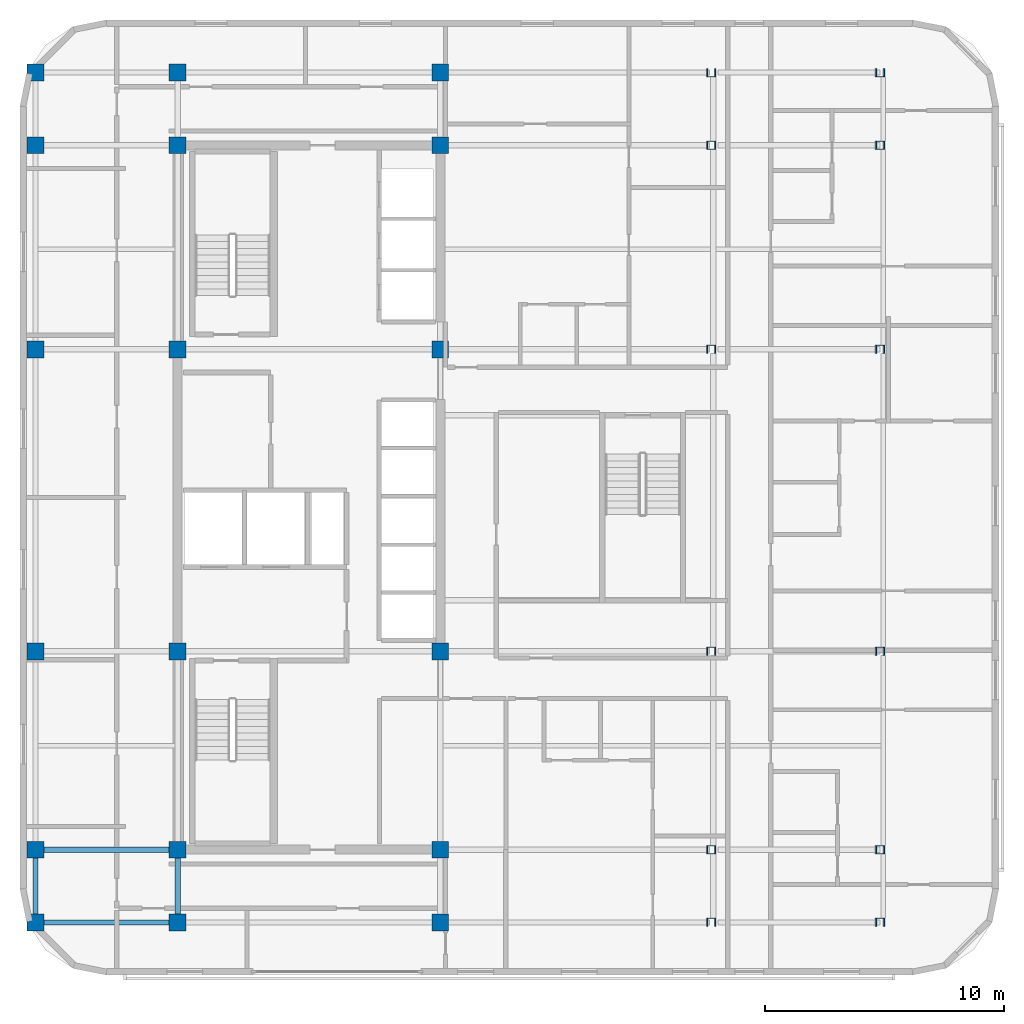
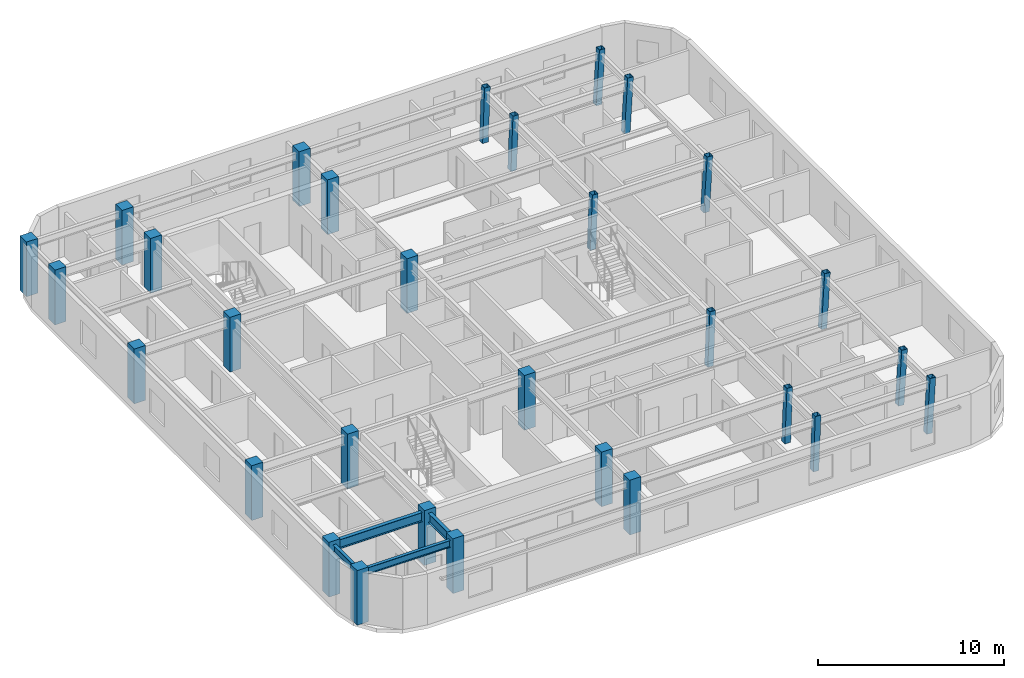
# One storey, part 1 of 11: 30 columns, 4 beams.
"""IFC4 building model written with IfcOpenShell, lengths in metres."""

import ifcopenshell
import ifcopenshell.guid

model = None  # the IFC model being written
_history = None  # IfcOwnerHistory: only IFC2X3 demands one
_inside = {}  # id of a spatial element -> (the spatial element, [elements in it])
_under = {}  # id of a project, library or spatial element -> (it, [spatial elements below it])
_declared = {}  # id of a project -> (the project, [libraries it declares])
_typed = {}  # id of a type object -> (the type object, [elements of that type])
_made_of = {}  # id of a material, layer set ... -> (it, [elements and type objects made of it])


def new_model(schema):
    """Start an empty IFC model of exactly this schema.

    Asked for "IFC4X3", IfcOpenShell would pick the latest addendum, in which some entities
    have other attributes; the version numbers below select the first issue.
    IFC2X3 requires an IfcOwnerHistory on every rooted entity: one is made here for all.
    """
    global model, _history
    if schema == "IFC4X3":
        model = ifcopenshell.file(schema_version=(4, 3, 0, 0))
    else:
        model = ifcopenshell.file(schema=schema)
    _inside.clear()
    _under.clear()
    _declared.clear()
    _typed.clear()
    _made_of.clear()
    _history = None
    if model.schema == "IFC2X3":
        org = make("IfcOrganization", Name="unknown")
        user = make(
            "IfcPersonAndOrganization",
            ThePerson=make("IfcPerson", FamilyName="unknown"),
            TheOrganization=org,
        )
        app = make(
            "IfcApplication",
            ApplicationDeveloper=org,
            Version="unknown",
            ApplicationFullName="unknown",
            ApplicationIdentifier="unknown",
        )
        _history = make(
            "IfcOwnerHistory",
            OwningUser=user,
            OwningApplication=app,
            ChangeAction="ADDED",
            CreationDate=0,
        )
    return model


def make(cls, **values):
    """One entity of the class cls with the attributes given. An attribute that is None is left unset."""
    return model.create_entity(
        cls, **{name: value for name, value in values.items() if value is not None}
    )


def rooted(cls, **values):
    """An entity with a GlobalId (a new one), such as an element, a storey or a relation."""
    return make(cls, GlobalId=ifcopenshell.guid.new(), OwnerHistory=_history, **values)


def si_unit(unit_type, name, prefix=None):
    """IfcSIUnit, for example si_unit("LENGTHUNIT", "METRE", prefix="MILLI")."""
    return make("IfcSIUnit", UnitType=unit_type, Prefix=prefix, Name=name)


def assignment(units):
    """IfcUnitAssignment: the units of a project."""
    return None if units is None else make("IfcUnitAssignment", Units=units)


def point(xyz):
    """IfcCartesianPoint."""
    return None if xyz is None else make("IfcCartesianPoint", Coordinates=xyz)


def direction(xyz):
    """IfcDirection."""
    return None if xyz is None else make("IfcDirection", DirectionRatios=xyz)


def frame(location, z_axis=None, x_axis=None):
    """IfcAxis2Placement3D, a coordinate frame: its origin and axes. An axis left out is left unset."""
    return make(
        "IfcAxis2Placement3D",
        Location=point(location),
        Axis=direction(z_axis),
        RefDirection=direction(x_axis),
    )


def frame_2d(location, x_axis=None):
    """IfcAxis2Placement2D, a coordinate frame in the plane: its origin and x axis."""
    return make(
        "IfcAxis2Placement2D", Location=point(location), RefDirection=direction(x_axis)
    )


def origin():
    """The frame at (0, 0, 0) with its axes left unset."""
    return frame((0.0, 0.0, 0.0))


def origin_2d():
    """The frame at (0, 0) in the plane with its x axis left unset."""
    return frame_2d((0.0, 0.0))


def place(relative_to, where):
    """IfcLocalPlacement: puts the frame where relative to a parent placement (None: the world)."""
    return make(
        "IfcLocalPlacement", PlacementRelTo=relative_to, RelativePlacement=where
    )


def context(
    kind, dimensions, precision=None, world=None, true_north=None, identifier=None
):
    """IfcGeometricRepresentationContext, for example the 3D "Model" context."""
    return make(
        "IfcGeometricRepresentationContext",
        ContextIdentifier=identifier,
        ContextType=kind,
        CoordinateSpaceDimension=dimensions,
        Precision=precision,
        WorldCoordinateSystem=world,
        TrueNorth=true_north,
    )


def subcontext(parent, identifier, kind, view, scale=None):
    """IfcGeometricRepresentationSubContext, for example "Body" below "Model"."""
    return make(
        "IfcGeometricRepresentationSubContext",
        ContextIdentifier=identifier,
        ContextType=kind,
        ParentContext=parent,
        TargetScale=scale,
        TargetView=view,
    )


def project(units=None, contexts=None):
    """IfcProject with its units and contexts."""
    return rooted(
        "IfcProject",
        Name="project",
        RepresentationContexts=contexts,
        UnitsInContext=assignment(units),
    )


def spatial(cls, under=None, at=None, **own):
    """A site, building, storey or space (cls), placed at a placement, below another one or the project."""
    s = rooted(cls, ObjectPlacement=at, **own)
    if under is not None:
        _under.setdefault(under.id(), (under, []))[1].append(s)
    return s


def profile(cls, at=None, kind="AREA", **sizes):
    """A parametric profile (cls). Its sizes go by their IFC names, for example OverallWidth=200.0."""
    return make(cls, ProfileType=kind, Position=at, **sizes)


def rectangle(**sizes):
    """IfcRectangleProfileDef."""
    return profile("IfcRectangleProfileDef", **sizes)


def hollow_rectangle(**sizes):
    """IfcRectangleHollowProfileDef."""
    return profile("IfcRectangleHollowProfileDef", **sizes)


def i_section(**sizes):
    """IfcIShapeProfileDef."""
    return profile("IfcIShapeProfileDef", **sizes)


def extrude(swept, where, along, depth):
    """IfcExtrudedAreaSolid: the profile swept, set in the frame where, extruded along a direction by depth."""
    return make(
        "IfcExtrudedAreaSolid",
        SweptArea=swept,
        Position=where,
        ExtrudedDirection=direction(along),
        Depth=depth,
    )


def shape(context_of_items, identifier, shape_type, items):
    """IfcShapeRepresentation: the items that make up one representation, for example the "Body"."""
    return make(
        "IfcShapeRepresentation",
        ContextOfItems=context_of_items,
        RepresentationIdentifier=identifier,
        RepresentationType=shape_type,
        Items=items,
    )


def material(Name=None, Category=None):
    """IfcMaterial."""
    return make("IfcMaterial", Name=Name, Category=Category)


def material_profile(
    of_material, cross_section, Name=None, Category=None, Priority=None
):
    """IfcMaterialProfile: a cross section and its material."""
    return make(
        "IfcMaterialProfile",
        Name=Name,
        Material=of_material,
        Profile=cross_section,
        Priority=Priority,
        Category=Category,
    )


def profile_set(profiles, Name=None, composite=None):
    """IfcMaterialProfileSet."""
    return make(
        "IfcMaterialProfileSet",
        Name=Name,
        MaterialProfiles=profiles,
        CompositeProfile=composite,
    )


def made_of(thing, what):
    """Note that an element or type object is made of a material, layer set ...; save() writes the relation."""
    if what is not None:
        _made_of.setdefault(what.id(), (what, []))[1].append(thing)
    return thing


def type_object(cls, material=None, **own):
    """A type object (cls), such as IfcWallType, which elements share."""
    return made_of(rooted(cls, **own), material)


def element(
    cls,
    number,
    at=None,
    inside=None,
    cuts=None,
    type_object=None,
    material=None,
    context=None,
    identifier="Body",
    shape_type=None,
    held_by="IfcProductDefinitionShape",
    body=None,
    shapes=None,
    **own,
):
    """One element of the class cls, such as IfcWall. Its Tag is "e" and its number.

    at: its placement. inside: the storey or other place that contains it. cuts: it is an
    opening in that element (IfcRelVoidsElement). A single representation is given by context,
    identifier, shape_type and body (its items); several are given by shapes. held_by: the class
    of the entity that holds the representations. save() writes the other relations.
    """
    e = rooted(cls, Tag="e%d" % number, ObjectPlacement=at, **own)
    if body is not None:
        shapes = [shape(context, identifier, shape_type, body)]
    if shapes is not None:
        e.Representation = make(held_by, Representations=shapes)
    if inside is not None:
        _inside.setdefault(inside.id(), (inside, []))[1].append(e)
    if cuts is not None:
        rooted(
            "IfcRelVoidsElement", RelatingBuildingElement=cuts, RelatedOpeningElement=e
        )
    if type_object is not None:
        _typed.setdefault(type_object.id(), (type_object, []))[1].append(e)
    return made_of(e, material)


def aggregate(whole, parts):
    """IfcRelAggregates: a whole, such as a stair, and the parts it consists of."""
    return rooted("IfcRelAggregates", RelatingObject=whole, RelatedObjects=parts)


def save(model, path):
    """Write the relations noted so far, then the file.

    IfcRelAggregates (storeys below a building ...), IfcRelContainedInSpatialStructure (elements
    in a storey), IfcRelDefinesByType, IfcRelAssociatesMaterial and IfcRelDeclares: one each for
    every whole, place, type object, material and project.
    """
    for whole, parts in _under.values():
        aggregate(whole, parts)
    for where, things in _inside.values():
        rooted(
            "IfcRelContainedInSpatialStructure",
            RelatedElements=things,
            RelatingStructure=where,
        )
    for kind, things in _typed.values():
        rooted("IfcRelDefinesByType", RelatedObjects=things, RelatingType=kind)
    for what, things in _made_of.values():
        rooted("IfcRelAssociatesMaterial", RelatedObjects=things, RelatingMaterial=what)
    for by, libraries in _declared.values():
        rooted("IfcRelDeclares", RelatingContext=by, RelatedDefinitions=libraries)
    model.write(path)


model = new_model("IFC4")

# Units and contexts
model_context = context("Model", 3, precision=1e-05, world=origin(), true_north=direction((0.0, 1.0)))
body_context = subcontext(model_context, "Body", "Model", "MODEL_VIEW")
ifc_project = project(units=[si_unit("LENGTHUNIT", "METRE"), si_unit("AREAUNIT", "SQUARE_METRE"), si_unit("VOLUMEUNIT", "CUBIC_METRE"), si_unit("PLANEANGLEUNIT", "RADIAN"), si_unit("MASSUNIT", "GRAM", prefix="KILO")], contexts=[model_context])

# Site, building, storey
site_placement = place(None, origin())
site = spatial("IfcSite", under=ifc_project, at=site_placement, CompositionType="ELEMENT")
building_placement = place(site_placement, origin())
building = spatial("IfcBuilding", under=site, at=building_placement, Name="Ochreholt Gables", CompositionType="ELEMENT")
storey_placement = place(building_placement, frame((0.0, 0.0, 188.39990234375)))
storey = spatial("IfcBuildingStorey", under=building, at=storey_placement, Name="L49", CompositionType="ELEMENT", Elevation=188.39990234375)

# Columns
ifc_material_1 = material(Name="Steel CSA G40.21 350W", Category="steel")
ifc_material_profile_1 = material_profile(ifc_material_1, hollow_rectangle(XDim=0.35595703125, YDim=0.35595703125, WallThickness=0.01611328125, at=origin_2d()), Name="HSS356X356X16")
ifc_profile_set_1 = profile_set([ifc_material_profile_1], Name="Steel CSA G40.21 350W")
column_type_1 = type_object("IfcColumnType", Name="COL-HSS356-RAK", PredefinedType="COLUMN", material=ifc_profile_set_1)
for number, where, z_axis, x_axis, name in (
    (1, (46.530029296875, 9.25, 0.0), (0.034971136209, 0.0, 0.999388322742), (0.0, 1.0, 0.0), "L49 Column EMY2"),
    (2, (46.530029296875, 17.550048828125, 0.0), (0.034971136209, 0.0, 0.999388322742), (0.0, 1.0, 0.0), "L49 Column EMY3"),
    (3, (46.530029296875, 30.199951171875, 0.0), (0.034971136209, 0.0, 0.999388322742), (0.0, 1.0, 0.0), "L49 Column EMY4"),
    (4, (46.530029296875, 38.75, 0.0), (0.034971136209, 0.0, 0.999388322742), (0.0, 1.0, 0.0), "L49 Column EMY5"),
):
    element("IfcColumn", number, at=place(storey_placement, frame(where, z_axis=z_axis, x_axis=x_axis)), inside=storey, type_object=column_type_1, Name=name, PredefinedType="COLUMN", context=body_context, shape_type="SweptSolid", body=[
        extrude(hollow_rectangle(XDim=0.35595703125, YDim=0.35595703125, WallThickness=0.01611328125, at=origin_2d()), origin(), (0.0, 0.0, 1.0), 3.602294921875),
    ])
ifc_material_profile_2 = material_profile(ifc_material_1, hollow_rectangle(XDim=0.35595703125, YDim=0.35595703125, WallThickness=0.01611328125, at=origin_2d()), Name="HSS356X356X16")
ifc_profile_set_2 = profile_set([ifc_material_profile_2], Name="Steel CSA G40.21 350W")
column_type_2 = type_object("IfcColumnType", Name="COL-HSS356-RAKE", PredefinedType="COLUMN", material=ifc_profile_set_2)
for number, where, z_axis, x_axis, name in (
    (5, (46.530029296875, 6.199951171875, 0.0), (0.034971136209, 0.0, 0.999388322742), (0.0, 1.0, 0.0), "L49 Column EMY1"),
    (6, (46.530029296875, 41.800048828125, 0.0), (0.034971136209, 0.0, 0.999388322742), (0.0, 1.0, 0.0), "L49 Column EMY6"),
):
    element("IfcColumn", number, at=place(storey_placement, frame(where, z_axis=z_axis, x_axis=x_axis)), inside=storey, type_object=column_type_2, Name=name, PredefinedType="COLUMN", context=body_context, shape_type="SweptSolid", body=[
        extrude(hollow_rectangle(XDim=0.35595703125, YDim=0.35595703125, WallThickness=0.01611328125, at=origin_2d()), origin(), (0.0, 0.0, 1.0), 3.602294921875),
    ])
for number, where, z_axis, x_axis, name in (
    (7, (53.583984375, 6.199951171875, 0.0), (0.057884606321, 0.0, 0.998323280481), (0.0, 1.0, 0.0), "L49 Column EEY1"),
    (8, (53.583984375, 9.25, 0.0), (0.057884606321, 0.0, 0.998323280481), (0.0, 1.0, 0.0), "L49 Column EEY2"),
    (9, (53.583984375, 17.550048828125, 0.0), (0.057884606321, 0.0, 0.998323280481), (0.0, 1.0, 0.0), "L49 Column EEY3"),
    (10, (53.583984375, 30.199951171875, 0.0), (0.057884606321, 0.0, 0.998323280481), (0.0, 1.0, 0.0), "L49 Column EEY4"),
    (11, (53.583984375, 38.75, 0.0), (0.057884606321, 0.0, 0.998323280481), (0.0, 1.0, 0.0), "L49 Column EEY5"),
    (12, (53.583984375, 41.800048828125, 0.0), (0.057884606321, 0.0, 0.998323280481), (0.0, 1.0, 0.0), "L49 Column EEY6"),
):
    element("IfcColumn", number, at=place(storey_placement, frame(where, z_axis=z_axis, x_axis=x_axis)), inside=storey, type_object=column_type_2, Name=name, PredefinedType="COLUMN", context=body_context, shape_type="SweptSolid", body=[
        extrude(hollow_rectangle(XDim=0.35595703125, YDim=0.35595703125, WallThickness=0.01611328125, at=origin_2d()), origin(), (0.0, 0.0, 1.0), 3.606201171875),
    ])
ifc_material_2 = material(Name="Concrete 50 MPa", Category="concrete")
ifc_material_profile_3 = material_profile(ifc_material_2, rectangle(XDim=0.699951171875, YDim=0.699951171875, at=origin_2d()), Name="RC700X700")
ifc_profile_set_3 = profile_set([ifc_material_profile_3], Name="Concrete 50 MPa")
column_type_3 = type_object("IfcColumnType", Name="COL-RC700-EXT", PredefinedType="COLUMN", material=ifc_profile_set_3)
for number, where, z_axis, x_axis, name in (
    (13, (18.25, 6.199951171875, 0.0), (0.0, 0.0, 1.0), (1.0, 0.0, 0.0), "L49 Column W3Y1"),
    (14, (18.25, 9.25, 0.0), (0.0, 0.0, 1.0), (1.0, 0.0, 0.0), "L49 Column W3Y2"),
    (15, (18.25, 17.550048828125, 0.0), (0.0, 0.0, 1.0), (1.0, 0.0, 0.0), "L49 Column W3Y3"),
    (16, (18.25, 30.199951171875, 0.0), (0.0, 0.0, 1.0), (1.0, 0.0, 0.0), "L49 Column W3Y4"),
    (17, (18.25, 38.75, 0.0), (0.0, 0.0, 1.0), (1.0, 0.0, 0.0), "L49 Column W3Y5"),
    (18, (18.25, 41.800048828125, 0.0), (0.0, 0.0, 1.0), (1.0, 0.0, 0.0), "L49 Column W3Y6"),
    (19, (24.199951171875, 6.199951171875, 0.0), (0.0, 0.0, 1.0), (1.0, 0.0, 0.0), "L49 Column C1Y1"),
    (20, (24.199951171875, 41.800048828125, 0.0), (0.0, 0.0, 1.0), (1.0, 0.0, 0.0), "L49 Column C1Y6"),
    (21, (35.199951171875, 6.199951171875, 0.0), (0.0, 0.0, 1.0), (1.0, 0.0, 0.0), "L49 Column C2Y1"),
    (22, (35.199951171875, 41.800048828125, 0.0), (0.0, 0.0, 1.0), (1.0, 0.0, 0.0), "L49 Column C2Y6"),
):
    element("IfcColumn", number, at=place(storey_placement, frame(where, z_axis=z_axis, x_axis=x_axis)), inside=storey, type_object=column_type_3, Name=name, PredefinedType="COLUMN", context=body_context, shape_type="SweptSolid", body=[
        extrude(rectangle(XDim=0.699951171875, YDim=0.699951171875, at=origin_2d()), origin(), (0.0, 0.0, 1.0), 3.60009765625),
    ])
ifc_material_profile_4 = material_profile(ifc_material_2, rectangle(XDim=0.699951171875, YDim=0.699951171875, at=origin_2d()), Name="RC700X700")
ifc_profile_set_4 = profile_set([ifc_material_profile_4], Name="Concrete 50 MPa")
column_type_4 = type_object("IfcColumnType", Name="COL-RC700-INT", PredefinedType="COLUMN", material=ifc_profile_set_4)
for number, where, z_axis, x_axis, name in (
    (23, (24.199951171875, 9.25, 0.0), (0.0, 0.0, 1.0), (1.0, 0.0, 0.0), "L49 Column C1Y2"),
    (24, (24.199951171875, 17.550048828125, 0.0), (0.0, 0.0, 1.0), (1.0, 0.0, 0.0), "L49 Column C1Y3"),
    (25, (24.199951171875, 30.199951171875, 0.0), (0.0, 0.0, 1.0), (1.0, 0.0, 0.0), "L49 Column C1Y4"),
    (26, (24.199951171875, 38.75, 0.0), (0.0, 0.0, 1.0), (1.0, 0.0, 0.0), "L49 Column C1Y5"),
    (27, (35.199951171875, 9.25, 0.0), (0.0, 0.0, 1.0), (1.0, 0.0, 0.0), "L49 Column C2Y2"),
    (28, (35.199951171875, 17.550048828125, 0.0), (0.0, 0.0, 1.0), (1.0, 0.0, 0.0), "L49 Column C2Y3"),
    (29, (35.199951171875, 30.199951171875, 0.0), (0.0, 0.0, 1.0), (1.0, 0.0, 0.0), "L49 Column C2Y4"),
    (30, (35.199951171875, 38.75, 0.0), (0.0, 0.0, 1.0), (1.0, 0.0, 0.0), "L49 Column C2Y5"),
):
    element("IfcColumn", number, at=place(storey_placement, frame(where, z_axis=z_axis, x_axis=x_axis)), inside=storey, type_object=column_type_4, Name=name, PredefinedType="COLUMN", context=body_context, shape_type="SweptSolid", body=[
        extrude(rectangle(XDim=0.699951171875, YDim=0.699951171875, at=origin_2d()), origin(), (0.0, 0.0, 1.0), 3.60009765625),
    ])

# Beams
ifc_material_profile_5 = material_profile(ifc_material_1, i_section(OverallWidth=0.22900390625, OverallDepth=0.612060546875, WebThickness=0.011962890625, FlangeThickness=0.01953125, at=origin_2d()), Name="W610X125")
ifc_profile_set_5 = profile_set([ifc_material_profile_5], Name="Steel CSA G40.21 350W")
beam_type_1 = type_object("IfcBeamType", Name="BM-G-W610B", PredefinedType="BEAM", material=ifc_profile_set_5)
beam_1_placement = place(storey_placement, frame((18.599609375, 9.25, 3.044189453125), z_axis=(1.0, 0.0, 0.0), x_axis=(0.0, 1.0, 0.0)))
element("IfcBeam", 31, at=beam_1_placement, inside=storey, type_object=beam_type_1, Name="L49 Beam TBG-L49-W3C1-Y2", PredefinedType="BEAM", context=body_context, shape_type="SweptSolid", body=[
    extrude(i_section(OverallWidth=0.22900390625, OverallDepth=0.612060546875, WebThickness=0.011962890625, FlangeThickness=0.01953125, at=origin_2d()), origin(), (0.0, 0.0, 1.0), 5.250732421875),
])
beam_2_placement = place(storey_placement, frame((24.199951171875, 6.549560546875, 3.044189453125), z_axis=(0.0, 1.0, 0.0), x_axis=(-1.0, 0.0, 0.0)))
element("IfcBeam", 32, at=beam_2_placement, inside=storey, type_object=beam_type_1, Name="L49 Beam TBN-L49-C1-Y1Y2", PredefinedType="BEAM", context=body_context, shape_type="SweptSolid", body=[
    extrude(i_section(OverallWidth=0.22900390625, OverallDepth=0.612060546875, WebThickness=0.011962890625, FlangeThickness=0.01953125, at=origin_2d()), origin(), (0.0, 0.0, 1.0), 2.350830078125),
])
ifc_material_profile_6 = material_profile(ifc_material_1, i_section(OverallWidth=0.19189453125, OverallDepth=0.462890625, WebThickness=0.010498046875, FlangeThickness=0.017578125, at=origin_2d()), Name="W460X89")
ifc_profile_set_6 = profile_set([ifc_material_profile_6], Name="Steel CSA G40.21 350W")
beam_type_2 = type_object("IfcBeamType", Name="BM-SP-W460A", PredefinedType="SPANDREL", material=ifc_profile_set_6)
beam_3_placement = place(storey_placement, frame((18.599609375, 6.199951171875, 3.11865234375), z_axis=(1.0, 0.0, 0.0), x_axis=(0.0, 1.0, 0.0)))
element("IfcBeam", 33, at=beam_3_placement, inside=storey, type_object=beam_type_2, Name="L49 Beam TBG-L49-W3C1-Y1", PredefinedType="SPANDREL", context=body_context, shape_type="SweptSolid", body=[
    extrude(i_section(OverallWidth=0.19189453125, OverallDepth=0.462890625, WebThickness=0.010498046875, FlangeThickness=0.017578125, at=origin_2d()), origin(), (0.0, 0.0, 1.0), 5.250732421875),
])
beam_4_placement = place(storey_placement, frame((18.25, 6.549560546875, 3.11865234375), z_axis=(0.0, 1.0, 0.0), x_axis=(-1.0, 0.0, 0.0)))
element("IfcBeam", 34, at=beam_4_placement, inside=storey, type_object=beam_type_2, Name="L49 Beam TBN-L49-W3-Y1Y2", PredefinedType="SPANDREL", context=body_context, shape_type="SweptSolid", body=[
    extrude(i_section(OverallWidth=0.19189453125, OverallDepth=0.462890625, WebThickness=0.010498046875, FlangeThickness=0.017578125, at=origin_2d()), origin(), (0.0, 0.0, 1.0), 2.350830078125),
])

save(model, "model.ifc")
